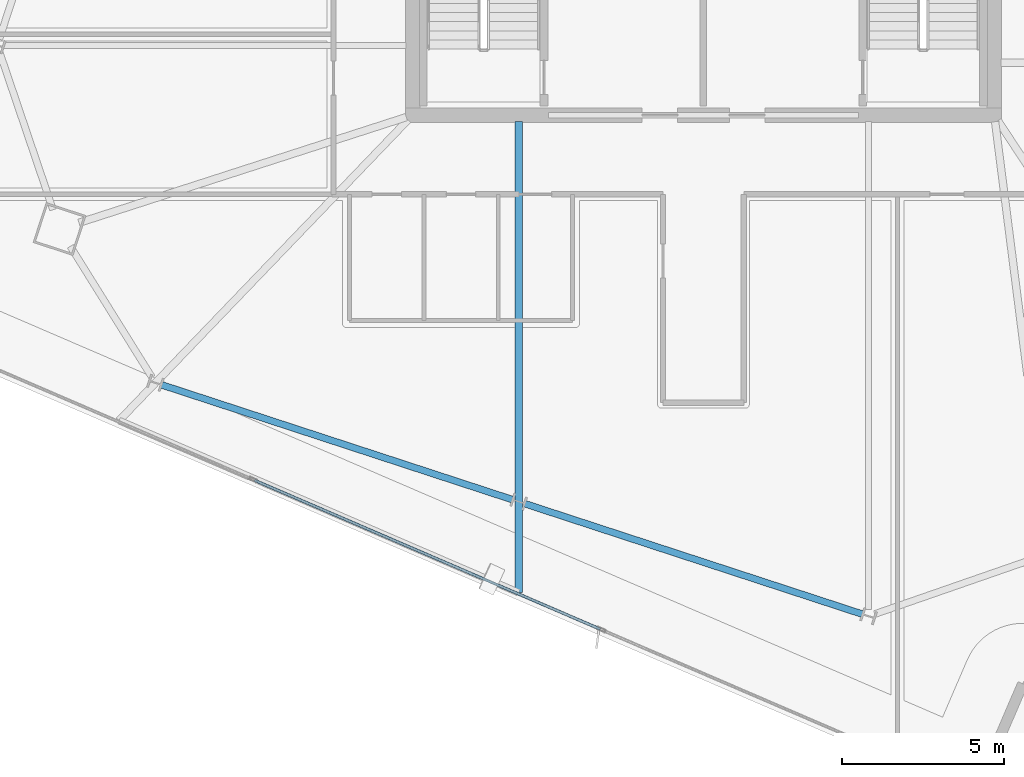
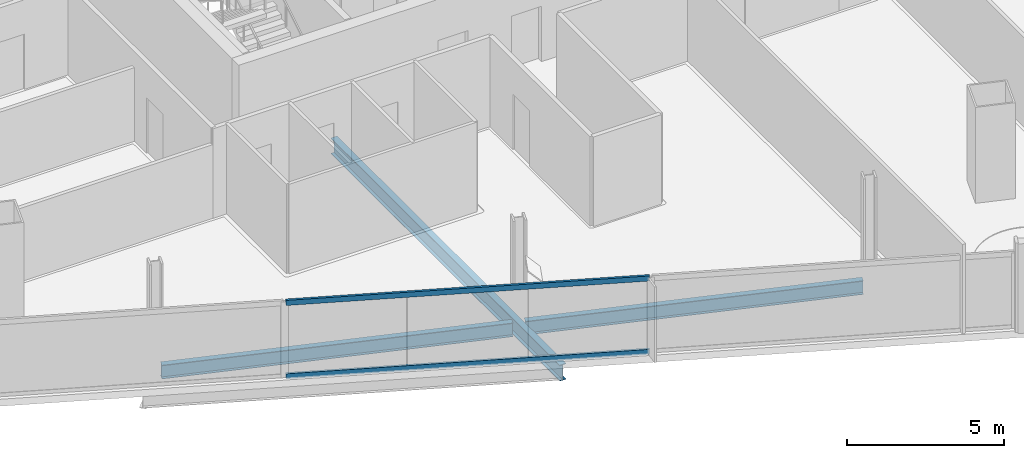
# One storey, part 4 of 28: 3 beams, 2 members, 1 element without a shape of its own.
"""IFC4 building model written with IfcOpenShell, lengths in metres."""

from ifc_helpers import new_model, si_unit, direction, frame, origin, origin_2d, place, context, subcontext, project, spatial, hollow_rectangle, i_section, extrude, material, material_profile, profile_set, type_object, element, aggregate, save


model = new_model("IFC4")

# Units and contexts
model_context = context("Model", 3, precision=1e-05, world=origin(), true_north=direction((0.0, 1.0)))
body_context = subcontext(model_context, "Body", "Model", "MODEL_VIEW")
ifc_project = project(units=[si_unit("LENGTHUNIT", "METRE"), si_unit("AREAUNIT", "SQUARE_METRE"), si_unit("VOLUMEUNIT", "CUBIC_METRE"), si_unit("PLANEANGLEUNIT", "RADIAN"), si_unit("MASSUNIT", "GRAM", prefix="KILO")], contexts=[model_context])

# Site, building, storey
site_placement = place(None, origin())
site = spatial("IfcSite", under=ifc_project, at=site_placement, CompositionType="ELEMENT")
building_placement = place(site_placement, origin())
building = spatial("IfcBuilding", under=site, at=building_placement, Name="Haldenkirk Collegiate Tower", CompositionType="ELEMENT")
storey_placement = place(building_placement, frame((0.0, 0.0, 252.449951171875)))
storey = spatial("IfcBuildingStorey", under=building, at=storey_placement, Name="L63", CompositionType="ELEMENT", Elevation=252.449951171875)

# Beams
ifc_material_1 = material(Name="Steel ASTM A992 Grade 50", Category="steel")
ifc_material_profile_1 = material_profile(ifc_material_1, i_section(OverallWidth=0.22998046875, OverallDepth=0.616943359375, WebThickness=0.01318359375, FlangeThickness=0.022216796875, at=origin_2d()), Name="W24X94")
ifc_profile_set_1 = profile_set([ifc_material_profile_1], Name="Steel ASTM A992 Grade 50")
beam_type_1 = type_object("IfcBeamType", Name="BM-GIRDER-W24X94", PredefinedType="BEAM", material=ifc_profile_set_1)
beam_1_placement = place(storey_placement, frame((30.283203125, 3.223876953125, -0.578369140625), z_axis=(0.0, 1.0, 0.0), x_axis=(-1.0, 0.0, 0.0)))
element("IfcBeam", 1, at=beam_1_placement, inside=storey, type_object=beam_type_1, Name="L63 primary floor girder 15", PredefinedType="BEAM", context=body_context, shape_type="SweptSolid", body=[
    extrude(i_section(OverallWidth=0.22998046875, OverallDepth=0.616943359375, WebThickness=0.01318359375, FlangeThickness=0.022216796875, at=origin_2d()), origin(), (0.0, 0.0, 1.0), 14.571044921875),
])
ifc_material_profile_2 = material_profile(ifc_material_1, i_section(OverallWidth=0.2099609375, OverallDepth=0.537109375, WebThickness=0.010986328125, FlangeThickness=0.017333984375, at=origin_2d()), Name="W21X68")
ifc_profile_set_2 = profile_set([ifc_material_profile_2], Name="Steel ASTM A992 Grade 50")
beam_type_2 = type_object("IfcBeamType", Name="BM-SPANDREL-W21X68", PredefinedType="SPANDREL", material=ifc_profile_set_2)
beam_2_placement = place(storey_placement, frame((19.235107421875, 9.6533203125, -0.538330078125), z_axis=(0.950408846531, -0.311003254701, 0.0), x_axis=(0.311003254701, 0.950408846531, 0.0)))
element("IfcBeam", 2, at=beam_2_placement, inside=storey, type_object=beam_type_2, Name="L63 perimeter spandrel beam 14", PredefinedType="SPANDREL", context=body_context, shape_type="SweptSolid", body=[
    extrude(i_section(OverallWidth=0.2099609375, OverallDepth=0.537109375, WebThickness=0.010986328125, FlangeThickness=0.017333984375, at=origin_2d()), origin(), (0.0, 0.0, 1.0), 11.421875),
])
beam_3_placement = place(storey_placement, frame((30.4755859375, 5.97509765625, -0.538330078125), z_axis=(0.95040429397, -0.311017166733, 0.0), x_axis=(0.311017166733, 0.95040429397, 0.0)))
element("IfcBeam", 3, at=beam_3_placement, inside=storey, type_object=beam_type_2, Name="L63 perimeter spandrel beam 15", PredefinedType="SPANDREL", context=body_context, shape_type="SweptSolid", body=[
    extrude(i_section(OverallWidth=0.2099609375, OverallDepth=0.537109375, WebThickness=0.010986328125, FlangeThickness=0.017333984375, at=origin_2d()), origin(), (0.0, 0.0, 1.0), 10.988037109375),
])

# Curtain wall, members
ifc_material_2 = material(Name="Anodised architectural bronze aluminium", Category="aluminium")
curtain_wall_type = type_object("IfcCurtainWallType", Name="CW-SYS1B-CONVEX-HI", PredefinedType="USERDEFINED", material=ifc_material_2)
curtain_wall_placement = place(storey_placement, origin())
curtain_wall = element("IfcCurtainWall", 4, at=curtain_wall_placement, inside=storey, type_object=curtain_wall_type, Name="L63 Upper tower high-wind convex bronze unitised curtain wall", ObjectType="UNITISED CURTAIN WALL", PredefinedType="USERDEFINED")
ifc_material_profile_3 = material_profile(ifc_material_2, hollow_rectangle(XDim=0.0849609375, YDim=0.199951171875, WallThickness=0.0048828125, at=origin_2d()), Name="CW-TRN-1B")
ifc_profile_set_3 = profile_set([ifc_material_profile_3], Name="Anodised architectural bronze aluminium")
member_type = type_object("IfcMemberType", Name="CW-TRN-1B", PredefinedType="USERDEFINED", material=ifc_profile_set_3)
member_1_placement = place(storey_placement, frame((32.8076171875, 2.093017578125, 0.04248046875), z_axis=(-0.918448697292, 0.395540124947, 0.0), x_axis=(-0.395540124947, -0.918448697292, 0.0)))
member_1 = element("IfcMember", 5, at=member_1_placement, type_object=member_type, Name="CW-1B transom 2.1", ObjectType="TRANSOM", PredefinedType="USERDEFINED", context=body_context, shape_type="SweptSolid", body=[
    extrude(hollow_rectangle(XDim=0.0849609375, YDim=0.199951171875, WallThickness=0.0048828125, at=origin_2d()), origin(), (0.0, 0.0, 1.0), 11.6484375),
])
member_2_placement = place(storey_placement, frame((32.8076171875, 2.093017578125, 2.8955078125), z_axis=(-0.918448697292, 0.395540124947, 0.0), x_axis=(-0.395540124947, -0.918448697292, 0.0)))
member_2 = element("IfcMember", 6, at=member_2_placement, type_object=member_type, Name="CW-1B transom 2.2", ObjectType="TRANSOM", PredefinedType="USERDEFINED", context=body_context, shape_type="SweptSolid", body=[
    extrude(hollow_rectangle(XDim=0.0849609375, YDim=0.199951171875, WallThickness=0.0048828125, at=origin_2d()), origin(), (0.0, 0.0, 1.0), 11.6484375),
])
aggregate(curtain_wall, [member_1, member_2])

save(model, "model.ifc")
